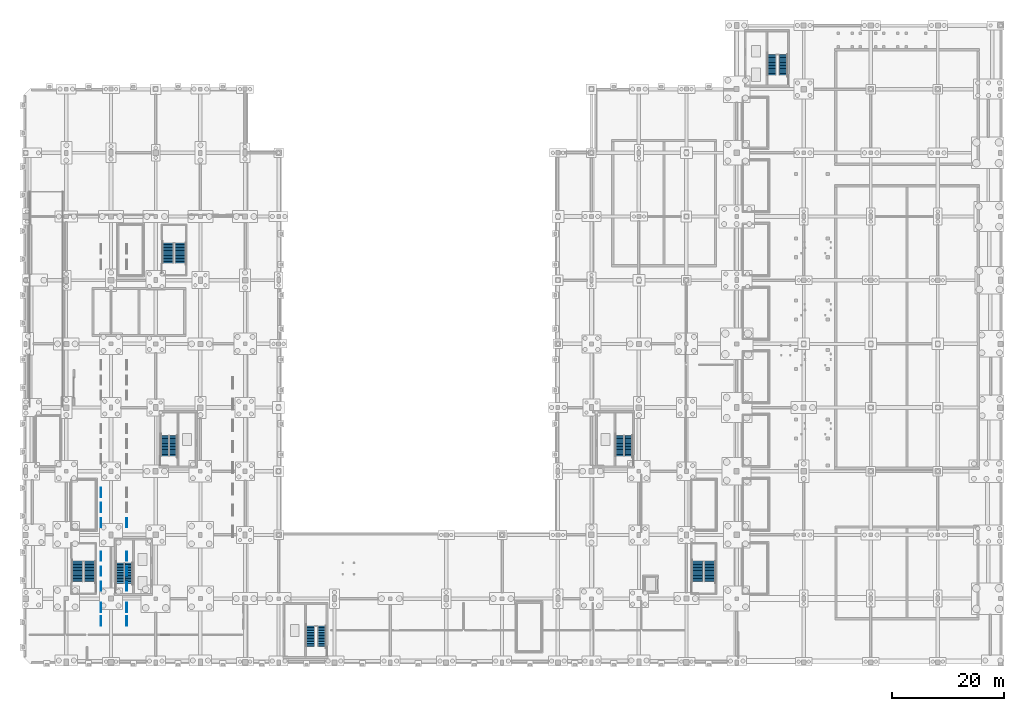
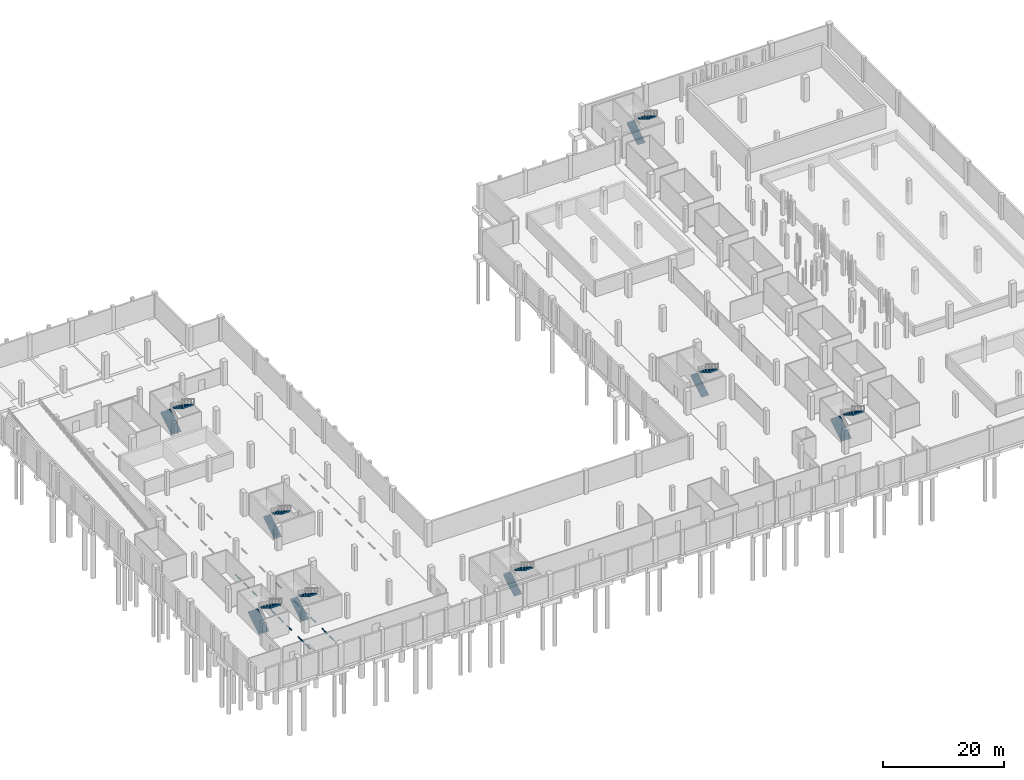
# One storey, part 30 of 34: 16 stair flights, 14 discrete accessories, 8 elements without a shape of their own.
"""IFC4 building model written with IfcOpenShell, lengths in metres."""

from ifc_helpers import new_model, si_unit, direction, frame, origin, origin_2d, place, context, subcontext, project, spatial, polyline, rectangle, outline, extrude, material, type_object, element, aggregate, save


model = new_model("IFC4")

# Units and contexts
model_context = context("Model", 3, precision=1e-05, world=origin(), true_north=direction((0.0, 1.0)))
body_context = subcontext(model_context, "Body", "Model", "MODEL_VIEW")
ifc_project = project(units=[si_unit("LENGTHUNIT", "METRE"), si_unit("AREAUNIT", "SQUARE_METRE"), si_unit("VOLUMEUNIT", "CUBIC_METRE"), si_unit("PLANEANGLEUNIT", "RADIAN"), si_unit("MASSUNIT", "GRAM", prefix="KILO"), si_unit("POWERUNIT", "WATT"), si_unit("THERMODYNAMICTEMPERATUREUNIT", "KELVIN")], contexts=[model_context])

# Site, building, storey
site_placement = place(None, origin())
site = spatial("IfcSite", under=ifc_project, at=site_placement, CompositionType="ELEMENT")
building_placement = place(site_placement, origin())
building = spatial("IfcBuilding", under=site, at=building_placement, Name="Kelmbourne Parkland Aquatics Centre", CompositionType="ELEMENT")
storey_placement = place(building_placement, frame((0.0, 0.0, -4.800048828125)))
storey = spatial("IfcBuildingStorey", under=building, at=storey_placement, Name="B1", CompositionType="ELEMENT", Elevation=-4.800048828125)

# Stair, stair flights
ifc_material_1 = material(Name="Concrete C40/50", Category="concrete")
stair_type_1 = type_object("IfcStairType", Name="ST-T01", PredefinedType="HALF_TURN_STAIR", material=ifc_material_1)
stair_1_placement = place(storey_placement, origin())
stair_1 = element("IfcStair", 1, at=stair_1_placement, inside=storey, type_object=stair_type_1, Name="West Wing South Fire-Fighting Core Stair ST01 (B1)", PredefinedType="HALF_TURN_STAIR")
stair_flight_type_1 = type_object("IfcStairFlightType", Name="STF-T01", PredefinedType="STRAIGHT", material=ifc_material_1)
stair_flight_1_placement = place(storey_placement, frame((17.61376953125, 14.949951171875, 0.0), z_axis=(0.0, 0.0, 1.0), x_axis=(0.0, 1.0, 0.0)))
stair_flight_1 = element("IfcStairFlight", 2, at=stair_flight_1_placement, type_object=stair_flight_type_1, Name="West Wing South Fire-Fighting Core Stair ST01 lower flight (B1)", NumberOfRisers=14, NumberOfTreads=13, PredefinedType="STRAIGHT", RiserHeight=0.171429, TreadLength=0.28, context=body_context, shape_type="SweptSolid", body=[
    extrude(outline(polyline([(-0.008056640625, 0.0), (-0.008056640625, 0.034912109375), (0.0, 0.034912109375), (0.0, 0.17138671875), (0.280029296875, 0.17138671875), (0.280029296875, 0.3427734375), (0.56005859375, 0.3427734375), (0.56005859375, 0.514404296875), (0.840087890625, 0.514404296875), (0.840087890625, 0.685791015625), (1.1201171875, 0.685791015625), (1.1201171875, 0.857177734375), (1.39990234375, 0.857177734375), (1.39990234375, 1.028564453125), (1.679931640625, 1.028564453125), (1.679931640625, 1.199951171875), (1.9599609375, 1.199951171875), (1.9599609375, 1.371337890625), (2.239990234375, 1.371337890625), (2.239990234375, 1.54296875), (2.52001953125, 1.54296875), (2.52001953125, 1.71435546875), (2.800048828125, 1.71435546875), (2.800048828125, 1.8857421875), (3.080078125, 1.8857421875), (3.080078125, 2.05712890625), (3.360107421875, 2.05712890625), (3.360107421875, 2.228515625), (3.639892578125, 2.228515625), (3.639892578125, 2.39990234375), (3.64794921875, 2.39990234375), (3.64794921875, 2.260009765625), (3.639892578125, 2.041015625), (0.30615234375, 0.0), (-0.008056640625, 0.0)])), frame((0.0, 0.69384765625, 0.0), z_axis=(0.0, -1.0, 0.0), x_axis=(1.0, 0.0, 0.0)), (0.0, 0.0, 1.0), 1.387451171875),
])
stair_flight_2_placement = place(storey_placement, frame((19.1611328125, 18.590087890625, 2.400146484375), z_axis=(0.0, 0.0, 1.0), x_axis=(0.0, -1.0, 0.0)))
stair_flight_2 = element("IfcStairFlight", 3, at=stair_flight_2_placement, type_object=stair_flight_type_1, Name="West Wing South Fire-Fighting Core Stair ST01 upper flight (B1)", NumberOfRisers=14, NumberOfTreads=13, PredefinedType="STRAIGHT", RiserHeight=0.171429, TreadLength=0.28, context=body_context, shape_type="SweptSolid", body=[
    extrude(outline(polyline([(-0.008056640625, 0.0), (-0.008056640625, 0.034912109375), (0.0, 0.034912109375), (0.0, 0.17138671875), (0.280029296875, 0.17138671875), (0.280029296875, 0.3427734375), (0.56005859375, 0.3427734375), (0.56005859375, 0.514404296875), (0.840087890625, 0.514404296875), (0.840087890625, 0.685791015625), (1.1201171875, 0.685791015625), (1.1201171875, 0.857177734375), (1.39990234375, 0.857177734375), (1.39990234375, 1.028564453125), (1.679931640625, 1.028564453125), (1.679931640625, 1.199951171875), (1.9599609375, 1.199951171875), (1.9599609375, 1.371337890625), (2.239990234375, 1.371337890625), (2.239990234375, 1.54296875), (2.52001953125, 1.54296875), (2.52001953125, 1.71435546875), (2.800048828125, 1.71435546875), (2.800048828125, 1.8857421875), (3.080078125, 1.8857421875), (3.080078125, 2.05712890625), (3.360107421875, 2.05712890625), (3.360107421875, 2.228515625), (3.639892578125, 2.228515625), (3.639892578125, 2.39990234375), (3.64794921875, 2.39990234375), (3.64794921875, 2.260009765625), (3.639892578125, 2.041015625), (0.30615234375, 0.0), (-0.008056640625, 0.0)])), frame((0.0, 0.69384765625, 0.0), z_axis=(0.0, -1.0, 0.0), x_axis=(1.0, 0.0, 0.0)), (0.0, 0.0, 1.0), 1.387451171875),
])
aggregate(stair_1, [stair_flight_1, stair_flight_2])

stair_type_2 = type_object("IfcStairType", Name="ST-T06", PredefinedType="HALF_TURN_STAIR", material=ifc_material_1)
stair_2_placement = place(storey_placement, origin())
stair_2 = element("IfcStair", 4, at=stair_2_placement, inside=storey, type_object=stair_type_2, Name="West Wing North Passenger Core Stair ST02 (B1)", PredefinedType="HALF_TURN_STAIR")
stair_flight_type_2 = type_object("IfcStairFlightType", Name="STF-T06", PredefinedType="STRAIGHT", material=ifc_material_1)
stair_flight_3_placement = place(storey_placement, frame((25.61376953125, 37.75, 0.0), z_axis=(0.0, 0.0, 1.0), x_axis=(0.0, 1.0, 0.0)))
stair_flight_3 = element("IfcStairFlight", 5, at=stair_flight_3_placement, type_object=stair_flight_type_2, Name="West Wing North Passenger Core Stair ST02 lower flight (B1)", NumberOfRisers=14, NumberOfTreads=13, PredefinedType="STRAIGHT", RiserHeight=0.171429, TreadLength=0.28, context=body_context, shape_type="SweptSolid", body=[
    extrude(outline(polyline([(-0.008056640625, 0.0), (-0.008056640625, 0.034912109375), (0.0, 0.034912109375), (0.0, 0.17138671875), (0.280029296875, 0.17138671875), (0.280029296875, 0.3427734375), (0.56005859375, 0.3427734375), (0.56005859375, 0.514404296875), (0.840087890625, 0.514404296875), (0.840087890625, 0.685791015625), (1.1201171875, 0.685791015625), (1.1201171875, 0.857177734375), (1.39990234375, 0.857177734375), (1.39990234375, 1.028564453125), (1.679931640625, 1.028564453125), (1.679931640625, 1.199951171875), (1.9599609375, 1.199951171875), (1.9599609375, 1.371337890625), (2.239990234375, 1.371337890625), (2.239990234375, 1.54296875), (2.52001953125, 1.54296875), (2.52001953125, 1.71435546875), (2.800048828125, 1.71435546875), (2.800048828125, 1.8857421875), (3.080078125, 1.8857421875), (3.080078125, 2.05712890625), (3.360107421875, 2.05712890625), (3.360107421875, 2.228515625), (3.639892578125, 2.228515625), (3.639892578125, 2.39990234375), (3.64794921875, 2.39990234375), (3.64794921875, 2.260009765625), (3.639892578125, 2.041015625), (0.30615234375, 0.0), (-0.008056640625, 0.0)])), frame((0.0, 0.69384765625, 0.0), z_axis=(0.0, -1.0, 0.0), x_axis=(1.0, 0.0, 0.0)), (0.0, 0.0, 1.0), 1.387451171875),
])
stair_flight_4_placement = place(storey_placement, frame((27.1611328125, 41.389892578125, 2.400146484375), z_axis=(0.0, 0.0, 1.0), x_axis=(0.0, -1.0, 0.0)))
stair_flight_4 = element("IfcStairFlight", 6, at=stair_flight_4_placement, type_object=stair_flight_type_2, Name="West Wing North Passenger Core Stair ST02 upper flight (B1)", NumberOfRisers=14, NumberOfTreads=13, PredefinedType="STRAIGHT", RiserHeight=0.171429, TreadLength=0.28, context=body_context, shape_type="SweptSolid", body=[
    extrude(outline(polyline([(-0.008056640625, 0.0), (-0.008056640625, 0.034912109375), (0.0, 0.034912109375), (0.0, 0.17138671875), (0.280029296875, 0.17138671875), (0.280029296875, 0.3427734375), (0.56005859375, 0.3427734375), (0.56005859375, 0.514404296875), (0.840087890625, 0.514404296875), (0.840087890625, 0.685791015625), (1.1201171875, 0.685791015625), (1.1201171875, 0.857177734375), (1.39990234375, 0.857177734375), (1.39990234375, 1.028564453125), (1.679931640625, 1.028564453125), (1.679931640625, 1.199951171875), (1.9599609375, 1.199951171875), (1.9599609375, 1.371337890625), (2.239990234375, 1.371337890625), (2.239990234375, 1.54296875), (2.52001953125, 1.54296875), (2.52001953125, 1.71435546875), (2.800048828125, 1.71435546875), (2.800048828125, 1.8857421875), (3.080078125, 1.8857421875), (3.080078125, 2.05712890625), (3.360107421875, 2.05712890625), (3.360107421875, 2.228515625), (3.639892578125, 2.228515625), (3.639892578125, 2.39990234375), (3.64794921875, 2.39990234375), (3.64794921875, 2.260009765625), (3.639892578125, 2.041015625), (0.30615234375, 0.0), (-0.008056640625, 0.0)])), frame((0.0, 0.69384765625, 0.0), z_axis=(0.0, -1.0, 0.0), x_axis=(1.0, 0.0, 0.0)), (0.0, 0.0, 1.0), 1.387451171875),
])
aggregate(stair_2, [stair_flight_3, stair_flight_4])

stair_type_3 = type_object("IfcStairType", Name="ST-T10", PredefinedType="HALF_TURN_STAIR", material=ifc_material_1)
stair_3_placement = place(storey_placement, origin())
stair_3 = element("IfcStair", 7, at=stair_3_placement, inside=storey, type_object=stair_type_3, Name="South Entrance Foyer Gallery Core Stair ST03 (B1)", PredefinedType="HALF_TURN_STAIR")
stair_flight_type_3 = type_object("IfcStairFlightType", Name="STF-T10", PredefinedType="STRAIGHT", material=ifc_material_1)
stair_flight_5_placement = place(storey_placement, frame((51.669921875, 3.64990234375, 0.0), z_axis=(0.0, 0.0, 1.0), x_axis=(0.0, 1.0, 0.0)))
stair_flight_5 = element("IfcStairFlight", 8, at=stair_flight_5_placement, type_object=stair_flight_type_3, Name="South Entrance Foyer Gallery Core Stair ST03 lower flight (B1)", NumberOfRisers=14, NumberOfTreads=13, PredefinedType="STRAIGHT", RiserHeight=0.171429, TreadLength=0.28, context=body_context, shape_type="SweptSolid", body=[
    extrude(outline(polyline([(-0.008056640625, 0.0), (-0.008056640625, 0.034912109375), (0.0, 0.034912109375), (0.0, 0.17138671875), (0.280029296875, 0.17138671875), (0.280029296875, 0.3427734375), (0.56005859375, 0.3427734375), (0.56005859375, 0.514404296875), (0.840087890625, 0.514404296875), (0.840087890625, 0.685791015625), (1.1201171875, 0.685791015625), (1.1201171875, 0.857177734375), (1.39990234375, 0.857177734375), (1.39990234375, 1.028564453125), (1.679931640625, 1.028564453125), (1.679931640625, 1.199951171875), (1.9599609375, 1.199951171875), (1.9599609375, 1.371337890625), (2.239990234375, 1.371337890625), (2.239990234375, 1.54296875), (2.52001953125, 1.54296875), (2.52001953125, 1.71435546875), (2.800048828125, 1.71435546875), (2.800048828125, 1.8857421875), (3.080078125, 1.8857421875), (3.080078125, 2.05712890625), (3.360107421875, 2.05712890625), (3.360107421875, 2.228515625), (3.639892578125, 2.228515625), (3.639892578125, 2.39990234375), (3.64794921875, 2.39990234375), (3.64794921875, 2.260009765625), (3.639892578125, 2.041015625), (0.30615234375, 0.0), (-0.008056640625, 0.0)])), frame((0.0, 0.72509765625, 0.0), z_axis=(0.0, -1.0, 0.0), x_axis=(1.0, 0.0, 0.0)), (0.0, 0.0, 1.0), 1.449951171875),
])
stair_flight_6_placement = place(storey_placement, frame((53.7548828125, 7.2900390625, 2.400146484375), z_axis=(0.0, 0.0, 1.0), x_axis=(0.0, -1.0, 0.0)))
stair_flight_6 = element("IfcStairFlight", 9, at=stair_flight_6_placement, type_object=stair_flight_type_3, Name="South Entrance Foyer Gallery Core Stair ST03 upper flight (B1)", NumberOfRisers=14, NumberOfTreads=13, PredefinedType="STRAIGHT", RiserHeight=0.171429, TreadLength=0.28, context=body_context, shape_type="SweptSolid", body=[
    extrude(outline(polyline([(-0.008056640625, 0.0), (-0.008056640625, 0.034912109375), (0.0, 0.034912109375), (0.0, 0.17138671875), (0.280029296875, 0.17138671875), (0.280029296875, 0.3427734375), (0.56005859375, 0.3427734375), (0.56005859375, 0.514404296875), (0.840087890625, 0.514404296875), (0.840087890625, 0.685791015625), (1.1201171875, 0.685791015625), (1.1201171875, 0.857177734375), (1.39990234375, 0.857177734375), (1.39990234375, 1.028564453125), (1.679931640625, 1.028564453125), (1.679931640625, 1.199951171875), (1.9599609375, 1.199951171875), (1.9599609375, 1.371337890625), (2.239990234375, 1.371337890625), (2.239990234375, 1.54296875), (2.52001953125, 1.54296875), (2.52001953125, 1.71435546875), (2.800048828125, 1.71435546875), (2.800048828125, 1.8857421875), (3.080078125, 1.8857421875), (3.080078125, 2.05712890625), (3.360107421875, 2.05712890625), (3.360107421875, 2.228515625), (3.639892578125, 2.228515625), (3.639892578125, 2.39990234375), (3.64794921875, 2.39990234375), (3.64794921875, 2.260009765625), (3.639892578125, 2.041015625), (0.30615234375, 0.0), (-0.008056640625, 0.0)])), frame((0.0, 0.72509765625, 0.0), z_axis=(0.0, -1.0, 0.0), x_axis=(1.0, 0.0, 0.0)), (0.0, 0.0, 1.0), 1.449951171875),
])
aggregate(stair_3, [stair_flight_5, stair_flight_6])

stair_type_4 = type_object("IfcStairType", Name="ST-T12", PredefinedType="HALF_TURN_STAIR", material=ifc_material_1)
stair_4_placement = place(storey_placement, origin())
stair_4 = element("IfcStair", 10, at=stair_4_placement, inside=storey, type_object=stair_type_4, Name="East Spine Club and Village Core Stair ST04 (B1)", PredefinedType="HALF_TURN_STAIR")
stair_flight_type_4 = type_object("IfcStairFlightType", Name="STF-T12", PredefinedType="STRAIGHT", material=ifc_material_1)
stair_flight_7_placement = place(storey_placement, frame((107.044921875, 37.75, 0.0), z_axis=(0.0, 0.0, 1.0), x_axis=(0.0, 1.0, 0.0)))
stair_flight_7 = element("IfcStairFlight", 11, at=stair_flight_7_placement, type_object=stair_flight_type_4, Name="East Spine Club and Village Core Stair ST04 lower flight (B1)", NumberOfRisers=14, NumberOfTreads=13, PredefinedType="STRAIGHT", RiserHeight=0.171429, TreadLength=0.28, context=body_context, shape_type="SweptSolid", body=[
    extrude(outline(polyline([(-0.008056640625, 0.0), (-0.008056640625, 0.034912109375), (0.0, 0.034912109375), (0.0, 0.17138671875), (0.280029296875, 0.17138671875), (0.280029296875, 0.3427734375), (0.56005859375, 0.3427734375), (0.56005859375, 0.514404296875), (0.840087890625, 0.514404296875), (0.840087890625, 0.685791015625), (1.1201171875, 0.685791015625), (1.1201171875, 0.857177734375), (1.39990234375, 0.857177734375), (1.39990234375, 1.028564453125), (1.679931640625, 1.028564453125), (1.679931640625, 1.199951171875), (1.9599609375, 1.199951171875), (1.9599609375, 1.371337890625), (2.239990234375, 1.371337890625), (2.239990234375, 1.54296875), (2.52001953125, 1.54296875), (2.52001953125, 1.71435546875), (2.800048828125, 1.71435546875), (2.800048828125, 1.8857421875), (3.080078125, 1.8857421875), (3.080078125, 2.05712890625), (3.360107421875, 2.05712890625), (3.360107421875, 2.228515625), (3.639892578125, 2.228515625), (3.639892578125, 2.39990234375), (3.64794921875, 2.39990234375), (3.64794921875, 2.260009765625), (3.639892578125, 2.041015625), (0.30615234375, 0.0), (-0.008056640625, 0.0)])), frame((0.0, 0.699951171875, 0.0), z_axis=(0.0, -1.0, 0.0), x_axis=(1.0, 0.0, 0.0)), (0.0, 0.0, 1.0), 1.39990234375),
])
stair_flight_8_placement = place(storey_placement, frame((108.679931640625, 41.389892578125, 2.400146484375), z_axis=(0.0, 0.0, 1.0), x_axis=(0.0, -1.0, 0.0)))
stair_flight_8 = element("IfcStairFlight", 12, at=stair_flight_8_placement, type_object=stair_flight_type_4, Name="East Spine Club and Village Core Stair ST04 upper flight (B1)", NumberOfRisers=14, NumberOfTreads=13, PredefinedType="STRAIGHT", RiserHeight=0.171429, TreadLength=0.28, context=body_context, shape_type="SweptSolid", body=[
    extrude(outline(polyline([(-0.008056640625, 0.0), (-0.008056640625, 0.034912109375), (0.0, 0.034912109375), (0.0, 0.17138671875), (0.280029296875, 0.17138671875), (0.280029296875, 0.3427734375), (0.56005859375, 0.3427734375), (0.56005859375, 0.514404296875), (0.840087890625, 0.514404296875), (0.840087890625, 0.685791015625), (1.1201171875, 0.685791015625), (1.1201171875, 0.857177734375), (1.39990234375, 0.857177734375), (1.39990234375, 1.028564453125), (1.679931640625, 1.028564453125), (1.679931640625, 1.199951171875), (1.9599609375, 1.199951171875), (1.9599609375, 1.371337890625), (2.239990234375, 1.371337890625), (2.239990234375, 1.54296875), (2.52001953125, 1.54296875), (2.52001953125, 1.71435546875), (2.800048828125, 1.71435546875), (2.800048828125, 1.8857421875), (3.080078125, 1.8857421875), (3.080078125, 2.05712890625), (3.360107421875, 2.05712890625), (3.360107421875, 2.228515625), (3.639892578125, 2.228515625), (3.639892578125, 2.39990234375), (3.64794921875, 2.39990234375), (3.64794921875, 2.260009765625), (3.639892578125, 2.041015625), (0.30615234375, 0.0), (-0.008056640625, 0.0)])), frame((0.0, 0.699951171875, 0.0), z_axis=(0.0, -1.0, 0.0), x_axis=(1.0, 0.0, 0.0)), (0.0, 0.0, 1.0), 1.39990234375),
])
aggregate(stair_4, [stair_flight_7, stair_flight_8])

stair_type_5 = type_object("IfcStairType", Name="ST-T15", PredefinedType="HALF_TURN_STAIR", material=ifc_material_1)
stair_5_placement = place(storey_placement, origin())
stair_5 = element("IfcStair", 13, at=stair_5_placement, inside=storey, type_object=stair_type_5, Name="North Diving Control Fire-Fighting Core Stair ST05 (B1)", PredefinedType="HALF_TURN_STAIR")
stair_flight_type_5 = type_object("IfcStairFlightType", Name="STF-T15", PredefinedType="STRAIGHT", material=ifc_material_1)
stair_flight_9_placement = place(storey_placement, frame((134.27001953125, 105.949951171875, 0.0), z_axis=(0.0, 0.0, 1.0), x_axis=(0.0, 1.0, 0.0)))
stair_flight_9 = element("IfcStairFlight", 14, at=stair_flight_9_placement, type_object=stair_flight_type_5, Name="North Diving Control Fire-Fighting Core Stair ST05 lower flight (B1)", NumberOfRisers=14, NumberOfTreads=13, PredefinedType="STRAIGHT", RiserHeight=0.171429, TreadLength=0.28, context=body_context, shape_type="SweptSolid", body=[
    extrude(outline(polyline([(-0.008056640625, 0.0), (-0.008056640625, 0.034912109375), (0.0, 0.034912109375), (0.0, 0.17138671875), (0.280029296875, 0.17138671875), (0.280029296875, 0.3427734375), (0.56005859375, 0.3427734375), (0.56005859375, 0.514404296875), (0.840087890625, 0.514404296875), (0.840087890625, 0.685791015625), (1.1201171875, 0.685791015625), (1.1201171875, 0.857177734375), (1.39990234375, 0.857177734375), (1.39990234375, 1.028564453125), (1.679931640625, 1.028564453125), (1.679931640625, 1.199951171875), (1.9599609375, 1.199951171875), (1.9599609375, 1.371337890625), (2.239990234375, 1.371337890625), (2.239990234375, 1.54296875), (2.52001953125, 1.54296875), (2.52001953125, 1.71435546875), (2.800048828125, 1.71435546875), (2.800048828125, 1.8857421875), (3.080078125, 1.8857421875), (3.080078125, 2.05712890625), (3.360107421875, 2.05712890625), (3.360107421875, 2.228515625), (3.639892578125, 2.228515625), (3.639892578125, 2.39990234375), (3.64794921875, 2.39990234375), (3.64794921875, 2.260009765625), (3.639892578125, 2.041015625), (0.30615234375, 0.0), (-0.008056640625, 0.0)])), frame((0.0, 0.72509765625, 0.0), z_axis=(0.0, -1.0, 0.0), x_axis=(1.0, 0.0, 0.0)), (0.0, 0.0, 1.0), 1.449951171875),
])
stair_flight_10_placement = place(storey_placement, frame((136.35498046875, 109.590087890625, 2.400146484375), z_axis=(0.0, 0.0, 1.0), x_axis=(0.0, -1.0, 0.0)))
stair_flight_10 = element("IfcStairFlight", 15, at=stair_flight_10_placement, type_object=stair_flight_type_5, Name="North Diving Control Fire-Fighting Core Stair ST05 upper flight (B1)", NumberOfRisers=14, NumberOfTreads=13, PredefinedType="STRAIGHT", RiserHeight=0.171429, TreadLength=0.28, context=body_context, shape_type="SweptSolid", body=[
    extrude(outline(polyline([(-0.008056640625, 0.0), (-0.008056640625, 0.034912109375), (0.0, 0.034912109375), (0.0, 0.17138671875), (0.280029296875, 0.17138671875), (0.280029296875, 0.3427734375), (0.56005859375, 0.3427734375), (0.56005859375, 0.514404296875), (0.840087890625, 0.514404296875), (0.840087890625, 0.685791015625), (1.1201171875, 0.685791015625), (1.1201171875, 0.857177734375), (1.39990234375, 0.857177734375), (1.39990234375, 1.028564453125), (1.679931640625, 1.028564453125), (1.679931640625, 1.199951171875), (1.9599609375, 1.199951171875), (1.9599609375, 1.371337890625), (2.239990234375, 1.371337890625), (2.239990234375, 1.54296875), (2.52001953125, 1.54296875), (2.52001953125, 1.71435546875), (2.800048828125, 1.71435546875), (2.800048828125, 1.8857421875), (3.080078125, 1.8857421875), (3.080078125, 2.05712890625), (3.360107421875, 2.05712890625), (3.360107421875, 2.228515625), (3.639892578125, 2.228515625), (3.639892578125, 2.39990234375), (3.64794921875, 2.39990234375), (3.64794921875, 2.260009765625), (3.639892578125, 2.041015625), (0.30615234375, 0.0), (-0.008056640625, 0.0)])), frame((0.0, 0.72509765625, 0.0), z_axis=(0.0, -1.0, 0.0), x_axis=(1.0, 0.0, 0.0)), (0.0, 0.0, 1.0), 1.449951171875),
])
aggregate(stair_5, [stair_flight_9, stair_flight_10])

stair_type_6 = type_object("IfcStairType", Name="ST-T20", PredefinedType="HALF_TURN_STAIR", material=ifc_material_1)
stair_6_placement = place(storey_placement, origin())
stair_6 = element("IfcStair", 16, at=stair_6_placement, inside=storey, type_object=stair_type_6, Name="West South Perimeter Exit Stair (B1)", PredefinedType="HALF_TURN_STAIR")
stair_flight_type_6 = type_object("IfcStairFlightType", Name="STF-T20", PredefinedType="STRAIGHT", material=ifc_material_1)
stair_flight_11_placement = place(storey_placement, frame((9.969970703125, 15.25, 0.0), z_axis=(0.0, 0.0, 1.0), x_axis=(0.0, 1.0, 0.0)))
stair_flight_11 = element("IfcStairFlight", 17, at=stair_flight_11_placement, type_object=stair_flight_type_6, Name="West South Perimeter Exit Stair lower flight (B1)", NumberOfRisers=14, NumberOfTreads=13, PredefinedType="STRAIGHT", RiserHeight=0.171429, TreadLength=0.28, context=body_context, shape_type="SweptSolid", body=[
    extrude(outline(polyline([(-0.008056640625, 0.0), (-0.008056640625, 0.034912109375), (0.0, 0.034912109375), (0.0, 0.17138671875), (0.280029296875, 0.17138671875), (0.280029296875, 0.3427734375), (0.56005859375, 0.3427734375), (0.56005859375, 0.514404296875), (0.840087890625, 0.514404296875), (0.840087890625, 0.685791015625), (1.1201171875, 0.685791015625), (1.1201171875, 0.857177734375), (1.39990234375, 0.857177734375), (1.39990234375, 1.028564453125), (1.679931640625, 1.028564453125), (1.679931640625, 1.199951171875), (1.9599609375, 1.199951171875), (1.9599609375, 1.371337890625), (2.239990234375, 1.371337890625), (2.239990234375, 1.54296875), (2.52001953125, 1.54296875), (2.52001953125, 1.71435546875), (2.800048828125, 1.71435546875), (2.800048828125, 1.8857421875), (3.080078125, 1.8857421875), (3.080078125, 2.05712890625), (3.360107421875, 2.05712890625), (3.360107421875, 2.228515625), (3.639892578125, 2.228515625), (3.639892578125, 2.39990234375), (3.64794921875, 2.39990234375), (3.64794921875, 2.260009765625), (3.639892578125, 2.041015625), (0.30615234375, 0.0), (-0.008056640625, 0.0)])), frame((0.0, 0.949951171875, 0.0), z_axis=(0.0, -1.0, 0.0), x_axis=(1.0, 0.0, 0.0)), (0.0, 0.0, 1.0), 1.89990234375),
])
stair_flight_12_placement = place(storey_placement, frame((12.22998046875, 18.889892578125, 2.400146484375), z_axis=(0.0, 0.0, 1.0), x_axis=(0.0, -1.0, 0.0)))
stair_flight_12 = element("IfcStairFlight", 18, at=stair_flight_12_placement, type_object=stair_flight_type_6, Name="West South Perimeter Exit Stair upper flight (B1)", NumberOfRisers=14, NumberOfTreads=13, PredefinedType="STRAIGHT", RiserHeight=0.171429, TreadLength=0.28, context=body_context, shape_type="SweptSolid", body=[
    extrude(outline(polyline([(-0.008056640625, 0.0), (-0.008056640625, 0.034912109375), (0.0, 0.034912109375), (0.0, 0.17138671875), (0.280029296875, 0.17138671875), (0.280029296875, 0.3427734375), (0.56005859375, 0.3427734375), (0.56005859375, 0.514404296875), (0.840087890625, 0.514404296875), (0.840087890625, 0.685791015625), (1.1201171875, 0.685791015625), (1.1201171875, 0.857177734375), (1.39990234375, 0.857177734375), (1.39990234375, 1.028564453125), (1.679931640625, 1.028564453125), (1.679931640625, 1.199951171875), (1.9599609375, 1.199951171875), (1.9599609375, 1.371337890625), (2.239990234375, 1.371337890625), (2.239990234375, 1.54296875), (2.52001953125, 1.54296875), (2.52001953125, 1.71435546875), (2.800048828125, 1.71435546875), (2.800048828125, 1.8857421875), (3.080078125, 1.8857421875), (3.080078125, 2.05712890625), (3.360107421875, 2.05712890625), (3.360107421875, 2.228515625), (3.639892578125, 2.228515625), (3.639892578125, 2.39990234375), (3.64794921875, 2.39990234375), (3.64794921875, 2.260009765625), (3.639892578125, 2.041015625), (0.30615234375, 0.0), (-0.008056640625, 0.0)])), frame((0.0, 0.949951171875, 0.0), z_axis=(0.0, -1.0, 0.0), x_axis=(1.0, 0.0, 0.0)), (0.0, 0.0, 1.0), 1.89990234375),
])
aggregate(stair_6, [stair_flight_11, stair_flight_12])

stair_type_7 = type_object("IfcStairType", Name="ST-T30", PredefinedType="HALF_TURN_STAIR", material=ifc_material_1)
stair_7_placement = place(storey_placement, origin())
stair_7 = element("IfcStair", 19, at=stair_7_placement, inside=storey, type_object=stair_type_7, Name="South East Concourse Exit Stair (B1)", PredefinedType="HALF_TURN_STAIR")
stair_flight_type_7 = type_object("IfcStairFlightType", Name="STF-T30", PredefinedType="STRAIGHT", material=ifc_material_1)
stair_flight_13_placement = place(storey_placement, frame((120.969970703125, 15.25, 0.0), z_axis=(0.0, 0.0, 1.0), x_axis=(0.0, 1.0, 0.0)))
stair_flight_13 = element("IfcStairFlight", 20, at=stair_flight_13_placement, type_object=stair_flight_type_7, Name="South East Concourse Exit Stair lower flight (B1)", NumberOfRisers=14, NumberOfTreads=13, PredefinedType="STRAIGHT", RiserHeight=0.171429, TreadLength=0.28, context=body_context, shape_type="SweptSolid", body=[
    extrude(outline(polyline([(-0.008056640625, 0.0), (-0.008056640625, 0.034912109375), (0.0, 0.034912109375), (0.0, 0.17138671875), (0.280029296875, 0.17138671875), (0.280029296875, 0.3427734375), (0.56005859375, 0.3427734375), (0.56005859375, 0.514404296875), (0.840087890625, 0.514404296875), (0.840087890625, 0.685791015625), (1.1201171875, 0.685791015625), (1.1201171875, 0.857177734375), (1.39990234375, 0.857177734375), (1.39990234375, 1.028564453125), (1.679931640625, 1.028564453125), (1.679931640625, 1.199951171875), (1.9599609375, 1.199951171875), (1.9599609375, 1.371337890625), (2.239990234375, 1.371337890625), (2.239990234375, 1.54296875), (2.52001953125, 1.54296875), (2.52001953125, 1.71435546875), (2.800048828125, 1.71435546875), (2.800048828125, 1.8857421875), (3.080078125, 1.8857421875), (3.080078125, 2.05712890625), (3.360107421875, 2.05712890625), (3.360107421875, 2.228515625), (3.639892578125, 2.228515625), (3.639892578125, 2.39990234375), (3.64794921875, 2.39990234375), (3.64794921875, 2.260009765625), (3.639892578125, 2.041015625), (0.30615234375, 0.0), (-0.008056640625, 0.0)])), frame((0.0, 0.949951171875, 0.0), z_axis=(0.0, -1.0, 0.0), x_axis=(1.0, 0.0, 0.0)), (0.0, 0.0, 1.0), 1.89990234375),
])
stair_flight_14_placement = place(storey_placement, frame((123.22998046875, 18.889892578125, 2.400146484375), z_axis=(0.0, 0.0, 1.0), x_axis=(0.0, -1.0, 0.0)))
stair_flight_14 = element("IfcStairFlight", 21, at=stair_flight_14_placement, type_object=stair_flight_type_7, Name="South East Concourse Exit Stair upper flight (B1)", NumberOfRisers=14, NumberOfTreads=13, PredefinedType="STRAIGHT", RiserHeight=0.171429, TreadLength=0.28, context=body_context, shape_type="SweptSolid", body=[
    extrude(outline(polyline([(-0.008056640625, 0.0), (-0.008056640625, 0.034912109375), (0.0, 0.034912109375), (0.0, 0.17138671875), (0.280029296875, 0.17138671875), (0.280029296875, 0.3427734375), (0.56005859375, 0.3427734375), (0.56005859375, 0.514404296875), (0.840087890625, 0.514404296875), (0.840087890625, 0.685791015625), (1.1201171875, 0.685791015625), (1.1201171875, 0.857177734375), (1.39990234375, 0.857177734375), (1.39990234375, 1.028564453125), (1.679931640625, 1.028564453125), (1.679931640625, 1.199951171875), (1.9599609375, 1.199951171875), (1.9599609375, 1.371337890625), (2.239990234375, 1.371337890625), (2.239990234375, 1.54296875), (2.52001953125, 1.54296875), (2.52001953125, 1.71435546875), (2.800048828125, 1.71435546875), (2.800048828125, 1.8857421875), (3.080078125, 1.8857421875), (3.080078125, 2.05712890625), (3.360107421875, 2.05712890625), (3.360107421875, 2.228515625), (3.639892578125, 2.228515625), (3.639892578125, 2.39990234375), (3.64794921875, 2.39990234375), (3.64794921875, 2.260009765625), (3.639892578125, 2.041015625), (0.30615234375, 0.0), (-0.008056640625, 0.0)])), frame((0.0, 0.949951171875, 0.0), z_axis=(0.0, -1.0, 0.0), x_axis=(1.0, 0.0, 0.0)), (0.0, 0.0, 1.0), 1.89990234375),
])
aggregate(stair_7, [stair_flight_13, stair_flight_14])

stair_type_8 = type_object("IfcStairType", Name="ST-T35", PredefinedType="HALF_TURN_STAIR", material=ifc_material_1)
stair_8_placement = place(storey_placement, origin())
stair_8 = element("IfcStair", 22, at=stair_8_placement, inside=storey, type_object=stair_type_8, Name="West North Prow Exit Stair (B1)", PredefinedType="HALF_TURN_STAIR")
stair_flight_type_8 = type_object("IfcStairFlightType", Name="STF-T35", PredefinedType="STRAIGHT", material=ifc_material_1)
stair_flight_15_placement = place(storey_placement, frame((26.169921875, 72.25, 0.0), z_axis=(0.0, 0.0, 1.0), x_axis=(0.0, 1.0, 0.0)))
stair_flight_15 = element("IfcStairFlight", 23, at=stair_flight_15_placement, type_object=stair_flight_type_8, Name="West North Prow Exit Stair lower flight (B1)", NumberOfRisers=14, NumberOfTreads=13, PredefinedType="STRAIGHT", RiserHeight=0.171429, TreadLength=0.28, context=body_context, shape_type="SweptSolid", body=[
    extrude(outline(polyline([(-0.008056640625, 0.0), (-0.008056640625, 0.034912109375), (0.0, 0.034912109375), (0.0, 0.17138671875), (0.280029296875, 0.17138671875), (0.280029296875, 0.3427734375), (0.56005859375, 0.3427734375), (0.56005859375, 0.514404296875), (0.840087890625, 0.514404296875), (0.840087890625, 0.685791015625), (1.1201171875, 0.685791015625), (1.1201171875, 0.857177734375), (1.39990234375, 0.857177734375), (1.39990234375, 1.028564453125), (1.679931640625, 1.028564453125), (1.679931640625, 1.199951171875), (1.9599609375, 1.199951171875), (1.9599609375, 1.371337890625), (2.239990234375, 1.371337890625), (2.239990234375, 1.54296875), (2.52001953125, 1.54296875), (2.52001953125, 1.71435546875), (2.800048828125, 1.71435546875), (2.800048828125, 1.8857421875), (3.080078125, 1.8857421875), (3.080078125, 2.05712890625), (3.360107421875, 2.05712890625), (3.360107421875, 2.228515625), (3.639892578125, 2.228515625), (3.639892578125, 2.39990234375), (3.64794921875, 2.39990234375), (3.64794921875, 2.260009765625), (3.639892578125, 2.041015625), (0.30615234375, 0.0), (-0.008056640625, 0.0)])), frame((0.0, 0.949951171875, 0.0), z_axis=(0.0, -1.0, 0.0), x_axis=(1.0, 0.0, 0.0)), (0.0, 0.0, 1.0), 1.89990234375),
])
stair_flight_16_placement = place(storey_placement, frame((28.429931640625, 75.889892578125, 2.400146484375), z_axis=(0.0, 0.0, 1.0), x_axis=(0.0, -1.0, 0.0)))
stair_flight_16 = element("IfcStairFlight", 24, at=stair_flight_16_placement, type_object=stair_flight_type_8, Name="West North Prow Exit Stair upper flight (B1)", NumberOfRisers=14, NumberOfTreads=13, PredefinedType="STRAIGHT", RiserHeight=0.171429, TreadLength=0.28, context=body_context, shape_type="SweptSolid", body=[
    extrude(outline(polyline([(-0.008056640625, 0.0), (-0.008056640625, 0.034912109375), (0.0, 0.034912109375), (0.0, 0.17138671875), (0.280029296875, 0.17138671875), (0.280029296875, 0.3427734375), (0.56005859375, 0.3427734375), (0.56005859375, 0.514404296875), (0.840087890625, 0.514404296875), (0.840087890625, 0.685791015625), (1.1201171875, 0.685791015625), (1.1201171875, 0.857177734375), (1.39990234375, 0.857177734375), (1.39990234375, 1.028564453125), (1.679931640625, 1.028564453125), (1.679931640625, 1.199951171875), (1.9599609375, 1.199951171875), (1.9599609375, 1.371337890625), (2.239990234375, 1.371337890625), (2.239990234375, 1.54296875), (2.52001953125, 1.54296875), (2.52001953125, 1.71435546875), (2.800048828125, 1.71435546875), (2.800048828125, 1.8857421875), (3.080078125, 1.8857421875), (3.080078125, 2.05712890625), (3.360107421875, 2.05712890625), (3.360107421875, 2.228515625), (3.639892578125, 2.228515625), (3.639892578125, 2.39990234375), (3.64794921875, 2.39990234375), (3.64794921875, 2.260009765625), (3.639892578125, 2.041015625), (0.30615234375, 0.0), (-0.008056640625, 0.0)])), frame((0.0, 0.949951171875, 0.0), z_axis=(0.0, -1.0, 0.0), x_axis=(1.0, 0.0, 0.0)), (0.0, 0.0, 1.0), 1.89990234375),
])
aggregate(stair_8, [stair_flight_15, stair_flight_16])

# Discrete accessories
ifc_material_2 = material(Name="Waterproof concrete C50/60", Category="concrete")
discrete_accessory_type = type_object("IfcDiscreteAccessoryType", Name="ACC-WS-STD", PredefinedType="BRACKET", material=ifc_material_2)
for number, where, z_axis, x_axis, name in (
    (25, (14.199951171875, 8.199951171875, 0.0), (0.0, 0.0, 1.0), (1.0, 0.0, 0.0), "Standard parking bay wheel stop SPB-01"),
    (26, (18.800048828125, 8.199951171875, 0.0), (0.0, 0.0, 1.0), (1.0, 0.0, 0.0), "Standard parking bay wheel stop SPB-17"),
    (27, (14.199951171875, 10.60009765625, 0.0), (0.0, 0.0, 1.0), (1.0, 0.0, 0.0), "Standard parking bay wheel stop SPB-02"),
    (28, (18.800048828125, 10.60009765625, 0.0), (0.0, 0.0, 1.0), (1.0, 0.0, 0.0), "Standard parking bay wheel stop SPB-18"),
    (29, (14.199951171875, 14.39990234375, 0.0), (0.0, 0.0, 1.0), (1.0, 0.0, 0.0), "Standard parking bay wheel stop SPB-03"),
    (30, (18.800048828125, 14.39990234375, 0.0), (0.0, 0.0, 1.0), (1.0, 0.0, 0.0), "Standard parking bay wheel stop SPB-19"),
    (31, (14.199951171875, 17.10009765625, 0.0), (0.0, 0.0, 1.0), (1.0, 0.0, 0.0), "Standard parking bay wheel stop SPB-04"),
    (32, (18.800048828125, 17.10009765625, 0.0), (0.0, 0.0, 1.0), (1.0, 0.0, 0.0), "Standard parking bay wheel stop SPB-20"),
    (33, (14.199951171875, 19.800048828125, 0.0), (0.0, 0.0, 1.0), (1.0, 0.0, 0.0), "Standard parking bay wheel stop SPB-05"),
    (34, (18.800048828125, 19.800048828125, 0.0), (0.0, 0.0, 1.0), (1.0, 0.0, 0.0), "Standard parking bay wheel stop SPB-21"),
    (35, (14.199951171875, 25.800048828125, 0.0), (0.0, 0.0, 1.0), (1.0, 0.0, 0.0), "Standard parking bay wheel stop SPB-06"),
    (36, (18.800048828125, 25.800048828125, 0.0), (0.0, 0.0, 1.0), (1.0, 0.0, 0.0), "Standard parking bay wheel stop SPB-22"),
    (37, (14.199951171875, 28.5, 0.0), (0.0, 0.0, 1.0), (1.0, 0.0, 0.0), "Standard parking bay wheel stop SPB-07"),
    (38, (14.199951171875, 31.199951171875, 0.0), (0.0, 0.0, 1.0), (1.0, 0.0, 0.0), "Standard parking bay wheel stop SPB-08"),
):
    element("IfcDiscreteAccessory", number, at=place(storey_placement, frame(where, z_axis=z_axis, x_axis=x_axis)), inside=storey, type_object=discrete_accessory_type, Name=name, PredefinedType="BRACKET", context=body_context, shape_type="SweptSolid", body=[
        extrude(rectangle(XDim=0.159912109375, YDim=1.64990234375, at=origin_2d()), origin(), (0.0, 0.0, 1.0), 0.10009765625),
    ])

save(model, "model.ifc")
